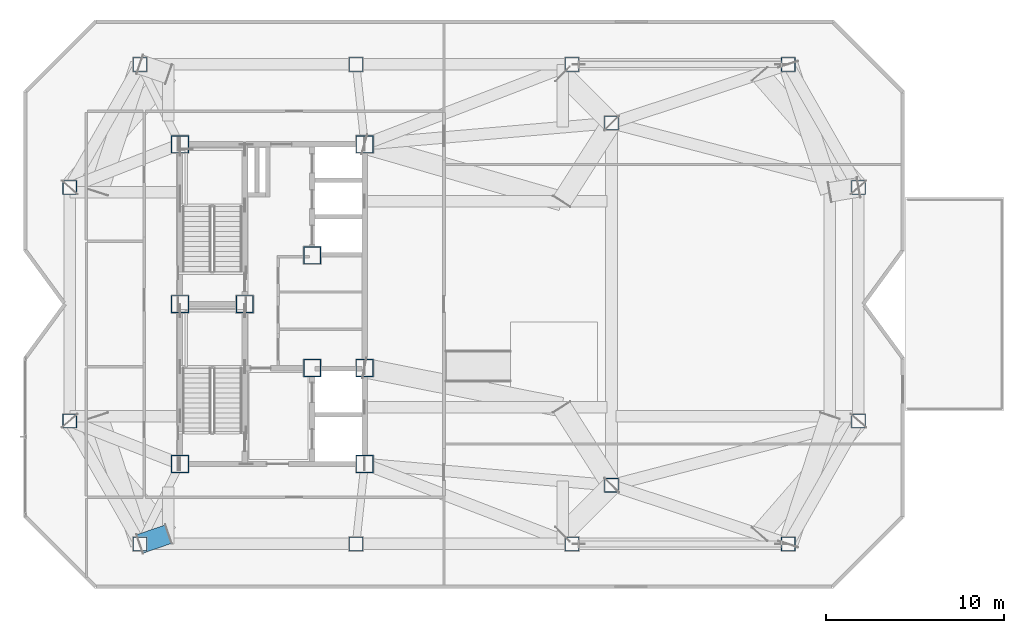
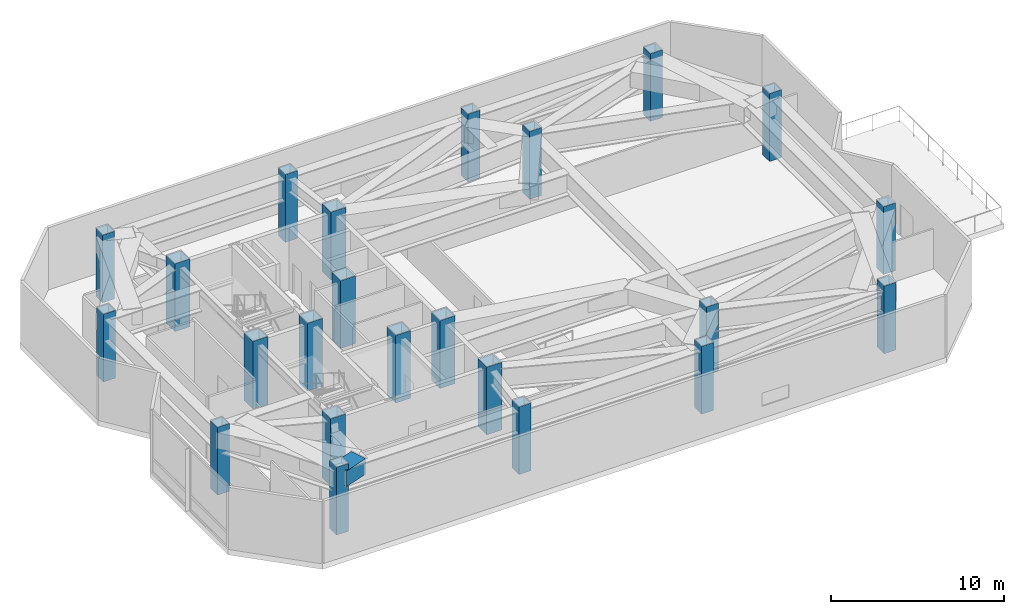
# One storey, part 1 of 11: 23 columns, 1 beam.
"""IFC4 building model written with IfcOpenShell, lengths in metres."""

from ifc_helpers import new_model, si_unit, direction, frame, origin, origin_2d, place, context, subcontext, project, spatial, hollow_rectangle, extrude, material, material_profile, profile_set, type_object, element, save


model = new_model("IFC4")

# Units and contexts
model_context = context("Model", 3, precision=1e-05, world=origin(), true_north=direction((0.0, 1.0)))
body_context = subcontext(model_context, "Body", "Model", "MODEL_VIEW")
ifc_project = project(units=[si_unit("LENGTHUNIT", "METRE"), si_unit("AREAUNIT", "SQUARE_METRE"), si_unit("VOLUMEUNIT", "CUBIC_METRE"), si_unit("PLANEANGLEUNIT", "RADIAN"), si_unit("MASSUNIT", "GRAM", prefix="KILO")], contexts=[model_context])

# Site, building, storey
site_placement = place(None, origin())
site = spatial("IfcSite", under=ifc_project, at=site_placement, CompositionType="ELEMENT")
building_placement = place(site_placement, origin())
building = spatial("IfcBuilding", under=site, at=building_placement, Name="Khamvora Tower", CompositionType="ELEMENT")
storey_placement = place(building_placement, frame((0.0, 0.0, 264.64990234375)))
storey = spatial("IfcBuildingStorey", under=building, at=storey_placement, Name="L68", CompositionType="ELEMENT", Elevation=264.64990234375)

# Columns
ifc_material_1 = material(Name="Steel S355", Category="steel")
ifc_material_profile_1 = material_profile(ifc_material_1, hollow_rectangle(XDim=0.800048828125, YDim=0.800048828125, WallThickness=0.0400390625, at=origin_2d()), Name="BOX800x800x40")
ifc_profile_set_1 = profile_set([ifc_material_profile_1], Name="Steel S355")
column_type_1 = type_object("IfcColumnType", Name="COL-BOX800", PredefinedType="COLUMN", material=ifc_profile_set_1)
for number, where, z_axis, x_axis, name in (
    (1, (26.75, 14.5, 0.0), (0.0, 0.0, 1.0), (1.0, 0.0, 0.0), "L68 structural frame column S1"),
    (2, (38.9169921875, 14.5, 0.0), (0.0, 0.0, 1.0), (1.0, 0.0, 0.0), "L68 structural frame column S2"),
    (3, (51.0830078125, 14.5, 0.0), (0.0, 0.0, 1.0), (1.0, 0.0, 0.0), "L68 structural frame column S3"),
    (4, (63.25, 14.5, 0.0), (0.0, 0.0, 1.0), (1.0, 0.0, 0.0), "L68 structural frame column S4"),
    (5, (26.75, 41.5, 0.0), (0.0, 0.0, 1.0), (1.0, 0.0, 0.0), "L68 structural frame column N1"),
    (6, (38.9169921875, 41.5, 0.0), (0.0, 0.0, 1.0), (1.0, 0.0, 0.0), "L68 structural frame column N2"),
    (7, (51.0830078125, 41.5, 0.0), (0.0, 0.0, 1.0), (1.0, 0.0, 0.0), "L68 structural frame column N3"),
    (8, (63.25, 41.5, 0.0), (0.0, 0.0, 1.0), (1.0, 0.0, 0.0), "L68 structural frame column N4"),
    (9, (22.800048828125, 21.425048828125, 0.0), (0.0, 0.0, 1.0), (1.0, 0.0, 0.0), "L68 structural frame column W1"),
    (10, (22.800048828125, 34.574951171875, 0.0), (0.0, 0.0, 1.0), (1.0, 0.0, 0.0), "L68 structural frame column W2"),
    (11, (67.199951171875, 21.425048828125, 0.0), (0.0, 0.0, 1.0), (1.0, 0.0, 0.0), "L68 structural frame column E1"),
    (12, (67.199951171875, 34.574951171875, 0.0), (0.0, 0.0, 1.0), (1.0, 0.0, 0.0), "L68 structural frame column E2"),
    (13, (53.300048828125, 17.800048828125, 0.0), (0.0, 0.0, 1.0), (1.0, 0.0, 0.0), "L68 structural frame column M1"),
    (14, (53.300048828125, 38.199951171875, 0.0), (0.0, 0.0, 1.0), (1.0, 0.0, 0.0), "L68 structural frame column M2"),
):
    element("IfcColumn", number, at=place(storey_placement, frame(where, z_axis=z_axis, x_axis=x_axis)), inside=storey, type_object=column_type_1, Name=name, PredefinedType="COLUMN", context=body_context, shape_type="SweptSolid", body=[
        extrude(hollow_rectangle(XDim=0.800048828125, YDim=0.800048828125, WallThickness=0.0400390625, at=origin_2d()), origin(), (0.0, 0.0, 1.0), 4.775146484375),
    ])
ifc_material_2 = material(Name="Structural Steel S460ML", Category="steel")
ifc_material_profile_2 = material_profile(ifc_material_2, hollow_rectangle(XDim=1.0, YDim=1.0, WallThickness=0.050048828125, at=origin_2d()), Name="BOX1000x1000x50")
ifc_profile_set_2 = profile_set([ifc_material_profile_2], Name="Structural Steel S460ML")
column_type_2 = type_object("IfcColumnType", Name="COL-SC-BOX1000", PredefinedType="COLUMN", material=ifc_profile_set_2)
for number, where, z_axis, x_axis, name in (
    (15, (29.0, 19.0, 0.0), (0.0, 0.0, 1.0), (1.0, 0.0, 0.0), "L68 plumb core spine column SC1"),
    (16, (32.64990234375, 28.0, 0.0), (0.0, 0.0, 1.0), (1.0, 0.0, 0.0), "L68 plumb core spine column SC2"),
    (17, (39.39990234375, 19.0, 0.0), (0.0, 0.0, 1.0), (1.0, 0.0, 0.0), "L68 plumb core spine column SC3"),
    (18, (29.0, 28.0, 0.0), (0.0, 0.0, 1.0), (1.0, 0.0, 0.0), "L68 plumb core spine column SC4"),
    (19, (36.449951171875, 24.39990234375, 0.0), (0.0, 0.0, 1.0), (1.0, 0.0, 0.0), "L68 plumb core spine column SC5"),
    (20, (39.39990234375, 24.39990234375, 0.0), (0.0, 0.0, 1.0), (1.0, 0.0, 0.0), "L68 plumb core spine column SC6"),
    (21, (29.0, 37.0, 0.0), (0.0, 0.0, 1.0), (1.0, 0.0, 0.0), "L68 plumb core spine column SC7"),
    (22, (36.449951171875, 30.75, 0.0), (0.0, 0.0, 1.0), (1.0, 0.0, 0.0), "L68 plumb core spine column SC8"),
    (23, (39.39990234375, 37.0, 0.0), (0.0, 0.0, 1.0), (1.0, 0.0, 0.0), "L68 plumb core spine column SC9"),
):
    element("IfcColumn", number, at=place(storey_placement, frame(where, z_axis=z_axis, x_axis=x_axis)), inside=storey, type_object=column_type_2, Name=name, PredefinedType="COLUMN", context=body_context, shape_type="SweptSolid", body=[
        extrude(hollow_rectangle(XDim=1.0, YDim=1.0, WallThickness=0.050048828125, at=origin_2d()), origin(), (0.0, 0.0, 1.0), 4.775146484375),
    ])

# Beam
ifc_material_3 = material(Name="Steel S460", Category="steel")
ifc_material_profile_3 = material_profile(ifc_material_3, hollow_rectangle(XDim=1.10009765625, YDim=1.10009765625, WallThickness=0.054931640625, at=origin_2d()), Name="BOX1100x1100x55")
ifc_profile_set_3 = profile_set([ifc_material_profile_3], Name="Steel S460")
beam_type = type_object("IfcBeamType", Name="BM-TG-BOX1100", PredefinedType="BEAM", material=ifc_profile_set_3)
beam_placement = place(storey_placement, frame((26.75, 14.5, 3.830078125), z_axis=(0.945683826865, 0.325087833678, 0.0), x_axis=(-0.325087833678, 0.945683826865, 0.0)))
element("IfcBeam", 24, at=beam_placement, inside=storey, type_object=beam_type, Name="L68 setback frame transfer frame transfer link S1.1", PredefinedType="BEAM", context=body_context, shape_type="SweptSolid", body=[
    extrude(hollow_rectangle(XDim=1.10009765625, YDim=1.10009765625, WallThickness=0.054931640625, at=origin_2d()), origin(), (0.0, 0.0, 1.0), 1.69189453125),
])

save(model, "model.ifc")
